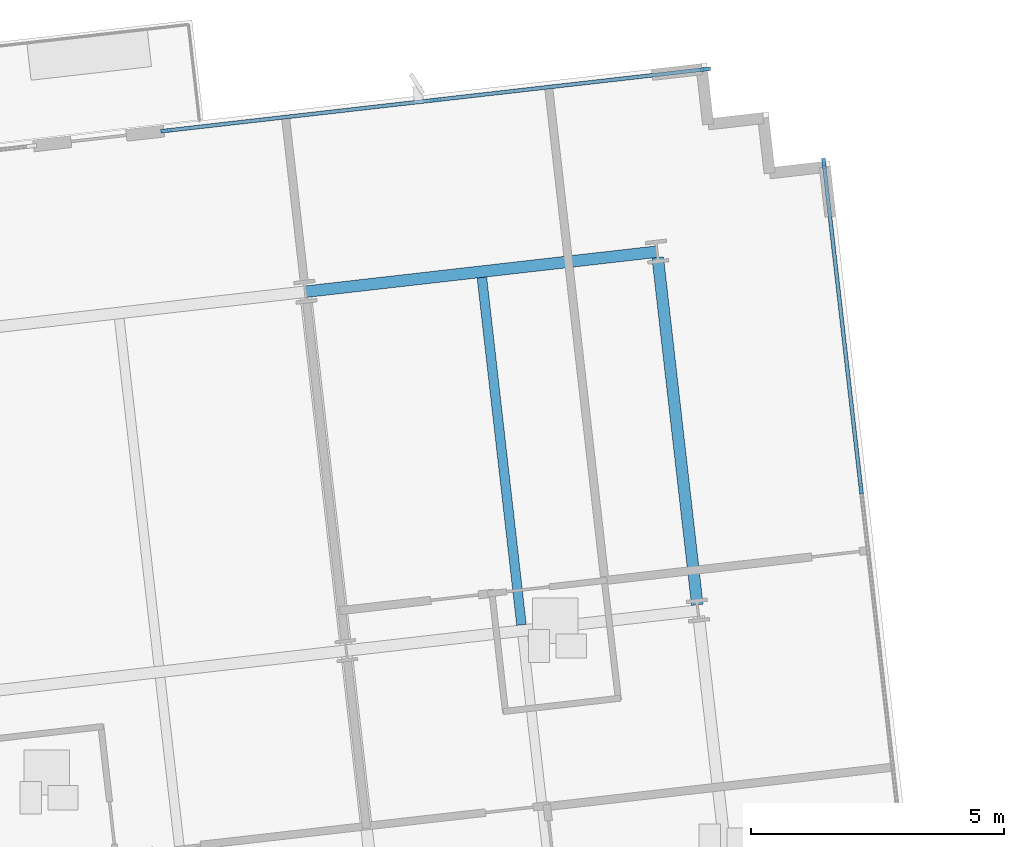
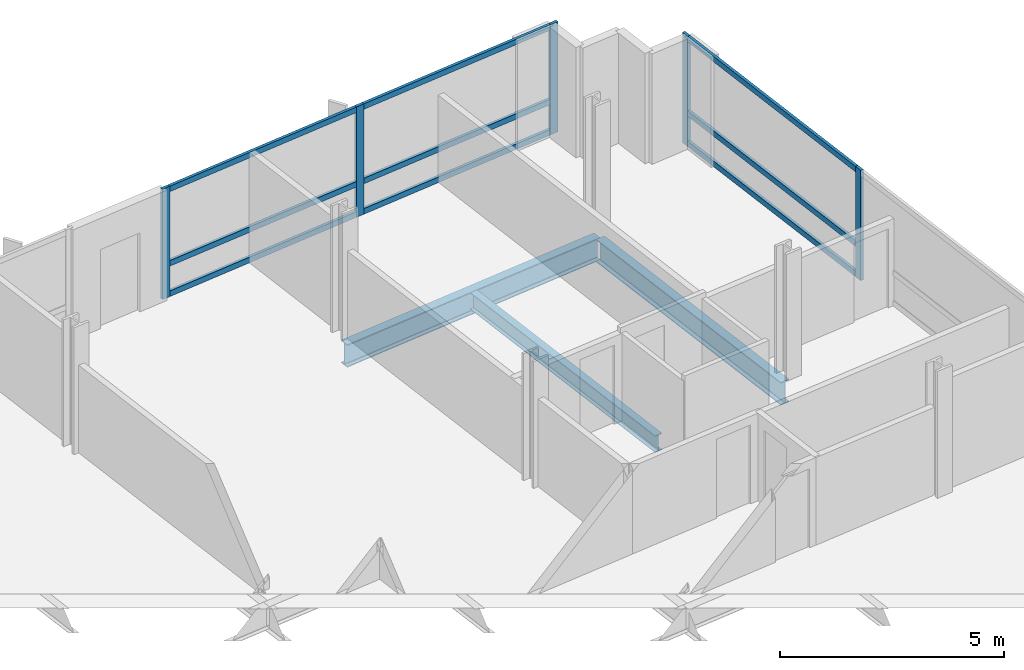
# One storey, part 6 of 14: 14 members, 3 beams, 2 elements without a shape of their own.
"""IFC4 building model written with IfcOpenShell, lengths in metres."""

from ifc_helpers import new_model, si_unit, direction, frame, origin, origin_2d, place, context, subcontext, project, spatial, rectangle, i_section, extrude, material, material_profile, profile_set, type_object, element, aggregate, save


model = new_model("IFC4")

# Units and contexts
model_context = context("Model", 3, precision=1e-05, world=origin(), true_north=direction((0.0, 1.0)))
body_context = subcontext(model_context, "Body", "Model", "MODEL_VIEW")
ifc_project = project(units=[si_unit("LENGTHUNIT", "METRE"), si_unit("AREAUNIT", "SQUARE_METRE"), si_unit("VOLUMEUNIT", "CUBIC_METRE"), si_unit("PLANEANGLEUNIT", "RADIAN"), si_unit("MASSUNIT", "GRAM", prefix="KILO")], contexts=[model_context])

# Site, building, storey
site_placement = place(None, origin())
site = spatial("IfcSite", under=ifc_project, at=site_placement, CompositionType="ELEMENT")
building_placement = place(site_placement, origin())
building = spatial("IfcBuilding", under=site, at=building_placement, Name="Solmavex Isthmus Hotel", CompositionType="ELEMENT")
storey_placement = place(building_placement, frame((0.0, 0.0, 236.550048828125)))
storey = spatial("IfcBuildingStorey", under=building, at=storey_placement, Name="L64", CompositionType="ELEMENT", Elevation=236.550048828125)

# Beams
ifc_material_1 = material(Name="Steel ASTM A992 Grade 50", Category="steel")
ifc_material_profile_1 = material_profile(ifc_material_1, i_section(OverallWidth=0.1904296875, OverallDepth=0.456787109375, WebThickness=0.009033203125, FlangeThickness=0.014404296875, FilletRadius=0.0126953125, at=origin_2d()), Name="W18X50")
ifc_profile_set_1 = profile_set([ifc_material_profile_1], Name="Steel ASTM A992 Grade 50")
beam_type_1 = type_object("IfcBeamType", Name="BM-BJ-W18X50", PredefinedType="JOIST", material=ifc_profile_set_1)
beam_1_placement = place(storey_placement, frame((21.587646484375, 11.7939453125, -0.488525390625), z_axis=(-0.113202453846, 0.993571942258, 0.0), x_axis=(-0.993571942258, -0.113202453846, 0.0)))
element("IfcBeam", 1, at=beam_1_placement, inside=storey, type_object=beam_type_1, Name="Secondary Floor Joist L64-J21", PredefinedType="JOIST", context=body_context, shape_type="SweptSolid", body=[
    extrude(i_section(OverallWidth=0.1904296875, OverallDepth=0.456787109375, WebThickness=0.009033203125, FlangeThickness=0.014404296875, FilletRadius=0.0126953125, at=origin_2d()), origin(), (0.0, 0.0, 1.0), 6.9228515625),
])
ifc_material_profile_2 = material_profile(ifc_material_1, i_section(OverallWidth=0.230224609375, OverallDepth=0.617431640625, WebThickness=0.01318359375, FlangeThickness=0.022216796875, FilletRadius=0.01513671875, at=origin_2d()), Name="W24X94")
ifc_profile_set_2 = profile_set([ifc_material_profile_2], Name="Steel ASTM A992 Grade 50")
beam_type_2 = type_object("IfcBeamType", Name="BM-SP-W24X94", PredefinedType="SPANDREL", material=ifc_profile_set_2)
beam_2_placement = place(storey_placement, frame((17.3095703125, 18.39013671875, -0.56884765625), z_axis=(0.99357359356, 0.113187959519, 0.0), x_axis=(-0.113187959519, 0.99357359356, 0.0)))
element("IfcBeam", 2, at=beam_2_placement, inside=storey, type_object=beam_type_2, Name="Floor Girder L64-UG23", PredefinedType="SPANDREL", context=body_context, shape_type="SweptSolid", body=[
    extrude(i_section(OverallWidth=0.230224609375, OverallDepth=0.617431640625, WebThickness=0.01318359375, FlangeThickness=0.022216796875, FilletRadius=0.01513671875, at=origin_2d()), origin(), (0.0, 0.0, 1.0), 7.0078125),
])
beam_3_placement = place(storey_placement, frame((25.0693359375, 12.1904296875, -0.56884765625), z_axis=(-0.113202453846, 0.993571942258, 0.0), x_axis=(-0.993571942258, -0.113202453846, 0.0)))
element("IfcBeam", 3, at=beam_3_placement, inside=storey, type_object=beam_type_2, Name="Floor Beam L64-VG45", PredefinedType="SPANDREL", context=body_context, shape_type="SweptSolid", body=[
    extrude(i_section(OverallWidth=0.230224609375, OverallDepth=0.617431640625, WebThickness=0.01318359375, FlangeThickness=0.022216796875, FilletRadius=0.01513671875, at=origin_2d()), origin(), (0.0, 0.0, 1.0), 6.9228515625),
])

# Curtain wall, members
ifc_material_2 = material(Name="Aluminium alloy 6063-T6", Category="aluminium")
curtain_wall_type = type_object("IfcCurtainWallType", Name="CW-SYS-04", PredefinedType="NOTDEFINED", material=ifc_material_2)
curtain_wall_1_placement = place(storey_placement, origin())
curtain_wall_1 = element("IfcCurtainWall", 4, at=curtain_wall_1_placement, inside=storey, type_object=curtain_wall_type, Name="Stick Curtain Wall CWL-L64-N3", PredefinedType="NOTDEFINED")
ifc_material_profile_3 = material_profile(ifc_material_2, rectangle(XDim=0.074951171875, YDim=0.199951171875, at=origin_2d()), Name="CWM-75X200")
ifc_profile_set_3 = profile_set([ifc_material_profile_3], Name="Aluminium alloy 6063-T6")
member_type_1 = type_object("IfcMemberType", Name="CW-SYS-04-MUL", PredefinedType="MULLION", material=ifc_profile_set_3)
member_1_placement = place(storey_placement, frame((14.54541015625, 21.57763671875, 0.0), z_axis=(0.0, 0.0, 1.0), x_axis=(-0.113203726319, 0.993571797279, 0.0)))
member_1 = element("IfcMember", 5, at=member_1_placement, type_object=member_type_1, Name="CW-04 mullion 1", PredefinedType="MULLION", context=body_context, shape_type="SweptSolid", body=[
    extrude(rectangle(XDim=0.074951171875, YDim=0.199951171875, at=origin_2d()), origin(), (0.0, 0.0, 1.0), 3.0),
])
member_2_placement = place(storey_placement, frame((19.888916015625, 22.1865234375, 0.0), z_axis=(0.0, 0.0, 1.0), x_axis=(-0.113203726319, 0.993571797279, 0.0)))
member_2 = element("IfcMember", 6, at=member_2_placement, type_object=member_type_1, Name="CW-04 mullion 2", PredefinedType="MULLION", context=body_context, shape_type="SweptSolid", body=[
    extrude(rectangle(XDim=0.074951171875, YDim=0.199951171875, at=origin_2d()), origin(), (0.0, 0.0, 1.0), 3.0),
])
member_3_placement = place(storey_placement, frame((25.232177734375, 22.795166015625, 0.0), z_axis=(0.0, 0.0, 1.0), x_axis=(-0.113203726319, 0.993571797279, 0.0)))
member_3 = element("IfcMember", 7, at=member_3_placement, type_object=member_type_1, Name="CW-04 mullion 3", PredefinedType="MULLION", context=body_context, shape_type="SweptSolid", body=[
    extrude(rectangle(XDim=0.074951171875, YDim=0.199951171875, at=origin_2d()), origin(), (0.0, 0.0, 1.0), 3.0),
])

curtain_wall_2_placement = place(storey_placement, origin())
curtain_wall_2 = element("IfcCurtainWall", 8, at=curtain_wall_2_placement, inside=storey, type_object=curtain_wall_type, Name="Stick Curtain Wall CWL-L64-E1", PredefinedType="NOTDEFINED")
member_4_placement = place(storey_placement, frame((28.309814453125, 14.490234375, 0.0), z_axis=(0.0, 0.0, 1.0), x_axis=(-0.993571836648, -0.11320338078, 0.0)))
member_4 = element("IfcMember", 9, at=member_4_placement, type_object=member_type_1, Name="CW-04 mullion 5", PredefinedType="MULLION", context=body_context, shape_type="SweptSolid", body=[
    extrude(rectangle(XDim=0.074951171875, YDim=0.199951171875, at=origin_2d()), origin(), (0.0, 0.0, 1.0), 3.0),
])
member_5_placement = place(storey_placement, frame((27.575927734375, 20.93115234375, 0.0), z_axis=(0.0, 0.0, 1.0), x_axis=(-0.993571836648, -0.11320338078, 0.0)))
member_5 = element("IfcMember", 10, at=member_5_placement, type_object=member_type_1, Name="CW-04 mullion 6", PredefinedType="MULLION", context=body_context, shape_type="SweptSolid", body=[
    extrude(rectangle(XDim=0.074951171875, YDim=0.199951171875, at=origin_2d()), origin(), (0.0, 0.0, 1.0), 3.0),
])

# Member
ifc_material_profile_4 = material_profile(ifc_material_2, rectangle(XDim=0.074951171875, YDim=0.14990234375, at=origin_2d()), Name="CWT-75X150")
ifc_profile_set_4 = profile_set([ifc_material_profile_4], Name="Aluminium alloy 6063-T6")
member_type_2 = type_object("IfcMemberType", Name="CW-SYS-04-TRN", PredefinedType="USERDEFINED", material=ifc_profile_set_4)
member_6_placement = place(storey_placement, frame((14.582763671875, 21.581787109375, 0.074951171875), z_axis=(0.993571049718, 0.113210287348, 0.0), x_axis=(-0.113210287348, 0.993571049718, 0.0)))
member_6 = element("IfcMember", 11, at=member_6_placement, type_object=member_type_2, Name="CW-04 transom 1.1", ObjectType="TRANSOM", PredefinedType="USERDEFINED", context=body_context, shape_type="SweptSolid", body=[
    extrude(rectangle(XDim=0.074951171875, YDim=0.14990234375, at=origin_2d()), origin(), (0.0, 0.0, 1.0), 5.302978515625),
])

member_7_placement = place(storey_placement, frame((14.582763671875, 21.581787109375, 0.89990234375), z_axis=(0.993571049718, 0.113210287348, 0.0), x_axis=(-0.113210287348, 0.993571049718, 0.0)))
member_7 = element("IfcMember", 12, at=member_7_placement, type_object=member_type_2, Name="CW-04 transom 1.2", ObjectType="TRANSOM", PredefinedType="USERDEFINED", context=body_context, shape_type="SweptSolid", body=[
    extrude(rectangle(XDim=0.074951171875, YDim=0.14990234375, at=origin_2d()), origin(), (0.0, 0.0, 1.0), 5.302978515625),
])

member_8_placement = place(storey_placement, frame((14.582763671875, 21.581787109375, 2.925048828125), z_axis=(0.993571049718, 0.113210287348, 0.0), x_axis=(-0.113210287348, 0.993571049718, 0.0)))
member_8 = element("IfcMember", 13, at=member_8_placement, type_object=member_type_2, Name="CW-04 transom 1.3", ObjectType="TRANSOM", PredefinedType="USERDEFINED", context=body_context, shape_type="SweptSolid", body=[
    extrude(rectangle(XDim=0.074951171875, YDim=0.14990234375, at=origin_2d()), origin(), (0.0, 0.0, 1.0), 5.302978515625),
])

member_9_placement = place(storey_placement, frame((19.926025390625, 22.190673828125, 0.074951171875), z_axis=(0.993571639742, 0.113205108986, 0.0), x_axis=(-0.113205108986, 0.993571639742, 0.0)))
member_9 = element("IfcMember", 14, at=member_9_placement, type_object=member_type_2, Name="CW-04 transom 2.1", ObjectType="TRANSOM", PredefinedType="USERDEFINED", context=body_context, shape_type="SweptSolid", body=[
    extrude(rectangle(XDim=0.074951171875, YDim=0.14990234375, at=origin_2d()), origin(), (0.0, 0.0, 1.0), 5.30322265625),
])

member_10_placement = place(storey_placement, frame((19.926025390625, 22.190673828125, 0.89990234375), z_axis=(0.993571639742, 0.113205108986, 0.0), x_axis=(-0.113205108986, 0.993571639742, 0.0)))
member_10 = element("IfcMember", 15, at=member_10_placement, type_object=member_type_2, Name="CW-04 transom 2.2", ObjectType="TRANSOM", PredefinedType="USERDEFINED", context=body_context, shape_type="SweptSolid", body=[
    extrude(rectangle(XDim=0.074951171875, YDim=0.14990234375, at=origin_2d()), origin(), (0.0, 0.0, 1.0), 5.30322265625),
])

member_11_placement = place(storey_placement, frame((19.926025390625, 22.190673828125, 2.925048828125), z_axis=(0.993571639742, 0.113205108986, 0.0), x_axis=(-0.113205108986, 0.993571639742, 0.0)))
member_11 = element("IfcMember", 16, at=member_11_placement, type_object=member_type_2, Name="CW-04 transom 2.3", ObjectType="TRANSOM", PredefinedType="USERDEFINED", context=body_context, shape_type="SweptSolid", body=[
    extrude(rectangle(XDim=0.074951171875, YDim=0.14990234375, at=origin_2d()), origin(), (0.0, 0.0, 1.0), 5.30322265625),
])

aggregate(curtain_wall_1, [member_1, member_2, member_3, member_6, member_7, member_8, member_9, member_10, member_11])

member_12_placement = place(storey_placement, frame((28.305419921875, 14.527587890625, 0.074951171875), z_axis=(-0.113203780919, 0.993571791058, 0.0), x_axis=(-0.993571791058, -0.113203780919, 0.0)))
member_12 = element("IfcMember", 17, at=member_12_placement, type_object=member_type_2, Name="CW-04 transom 5.1", ObjectType="TRANSOM", PredefinedType="USERDEFINED", context=body_context, shape_type="SweptSolid", body=[
    extrude(rectangle(XDim=0.074951171875, YDim=0.14990234375, at=origin_2d()), origin(), (0.0, 0.0, 1.0), 6.407470703125),
])

member_13_placement = place(storey_placement, frame((28.305419921875, 14.527587890625, 0.89990234375), z_axis=(-0.113203780919, 0.993571791058, 0.0), x_axis=(-0.993571791058, -0.113203780919, 0.0)))
member_13 = element("IfcMember", 18, at=member_13_placement, type_object=member_type_2, Name="CW-04 transom 5.2", ObjectType="TRANSOM", PredefinedType="USERDEFINED", context=body_context, shape_type="SweptSolid", body=[
    extrude(rectangle(XDim=0.074951171875, YDim=0.14990234375, at=origin_2d()), origin(), (0.0, 0.0, 1.0), 6.407470703125),
])

member_14_placement = place(storey_placement, frame((28.305419921875, 14.527587890625, 2.925048828125), z_axis=(-0.113203780919, 0.993571791058, 0.0), x_axis=(-0.993571791058, -0.113203780919, 0.0)))
member_14 = element("IfcMember", 19, at=member_14_placement, type_object=member_type_2, Name="CW-04 transom 5.3", ObjectType="TRANSOM", PredefinedType="USERDEFINED", context=body_context, shape_type="SweptSolid", body=[
    extrude(rectangle(XDim=0.074951171875, YDim=0.14990234375, at=origin_2d()), origin(), (0.0, 0.0, 1.0), 6.407470703125),
])

aggregate(curtain_wall_2, [member_4, member_5, member_12, member_13, member_14])

save(model, "model.ifc")
